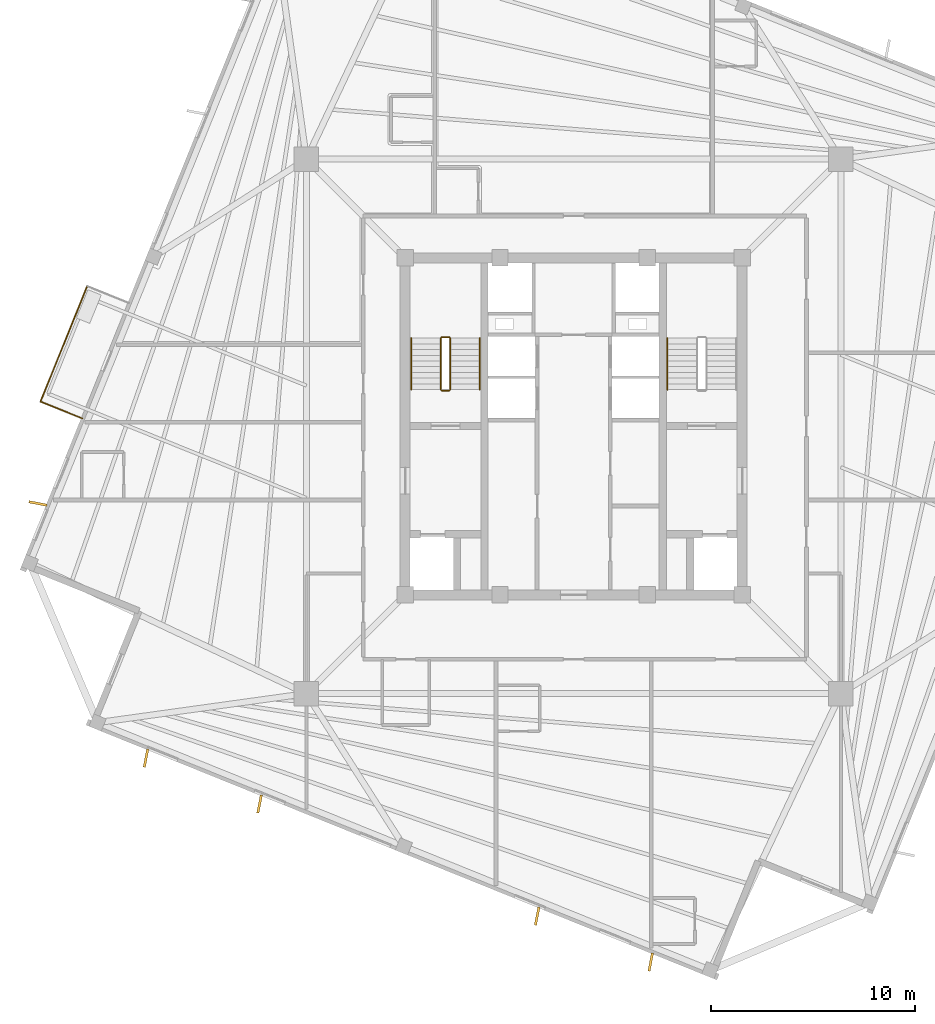
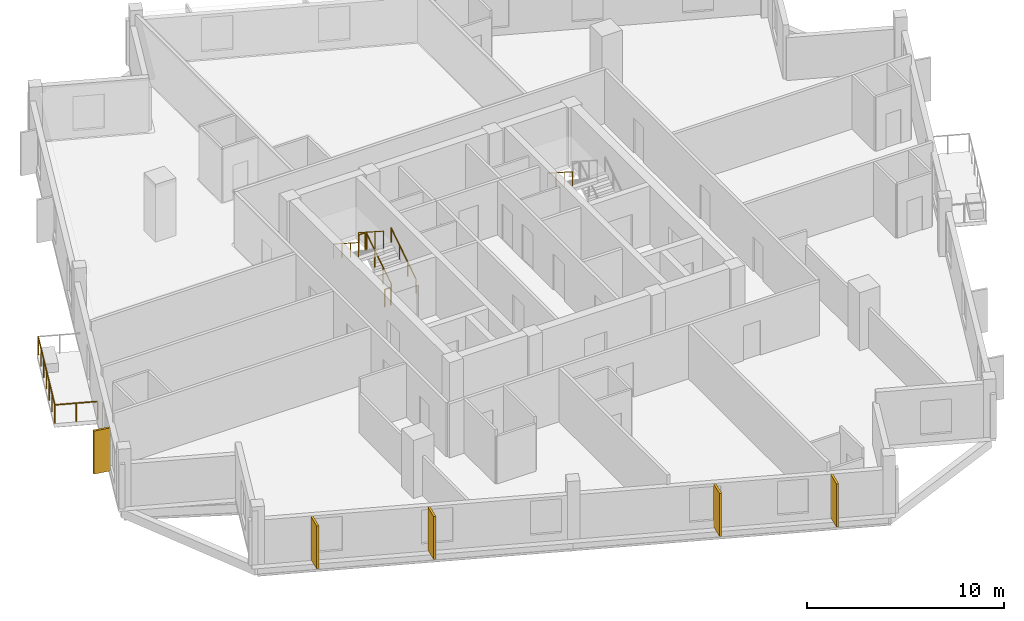
# One storey, part 6 of 8: 9 railings, 5 coverings.
"""IFC4 building model written with IfcOpenShell, lengths in metres."""

from ifc_helpers import new_model, si_unit, direction, frame, origin, origin_2d, place, context, subcontext, project, spatial, rectangle, circle, extrude, source, transform, mapped, material, layer, layer_set, type_object, element, save


model = new_model("IFC4")

# Units and contexts
model_context = context("Model", 3, precision=1e-05, world=origin(), true_north=direction((0.0, 1.0)))
body_context = subcontext(model_context, "Body", "Model", "MODEL_VIEW")
ifc_project = project(units=[si_unit("LENGTHUNIT", "METRE"), si_unit("AREAUNIT", "SQUARE_METRE"), si_unit("VOLUMEUNIT", "CUBIC_METRE"), si_unit("PLANEANGLEUNIT", "RADIAN"), si_unit("MASSUNIT", "GRAM", prefix="KILO"), si_unit("THERMODYNAMICTEMPERATUREUNIT", "KELVIN")], contexts=[model_context])

# Site, building, storey
site_placement = place(None, origin())
site = spatial("IfcSite", under=ifc_project, at=site_placement, CompositionType="ELEMENT")
building_placement = place(site_placement, origin())
building = spatial("IfcBuilding", under=site, at=building_placement, Name="Kosmvard Interchange Tower", CompositionType="ELEMENT")
storey_placement = place(building_placement, frame((0.0, 0.0, 268.800048828125)))
storey = spatial("IfcBuildingStorey", under=building, at=storey_placement, Name="L65", CompositionType="ELEMENT", Elevation=268.800048828125)

# Railing
ifc_material_1 = material(Name="Steel S355", Category="steel")
railing_type_1 = type_object("IfcRailingType", Name="Observation & Balcony Glass-Infill Balustrade 1150", PredefinedType="BALUSTRADE", material=ifc_material_1)
shared_shape_1 = source(origin(), body_context, "Body", "SweptSolid", [
    extrude(circle(Radius=0.02392578125, at=origin_2d()), frame((0.0, 0.0, 1.1259765625), z_axis=(0.927208487558, -0.374545618852, 0.0), x_axis=(0.374545618852, 0.927208487558, 0.0)), (0.0, 0.0, 1.0), 2.199951171875),
    extrude(circle(Radius=0.02099609375, at=origin_2d()), origin(), (0.0, 0.0, 1.0), 1.101806640625),
    extrude(circle(Radius=0.02099609375, at=origin_2d()), frame((1.02001953125, -0.412109375, 0.0)), (0.0, 0.0, 1.0), 1.101806640625),
    extrude(circle(Radius=0.02099609375, at=origin_2d()), frame((2.039794921875, -0.823974609375, 0.0)), (0.0, 0.0, 1.0), 1.101806640625),
])
railing_1_placement = place(storey_placement, frame((-26.095458984375, 1.2138671875, 0.0)))
element("IfcRailing", 1, at=railing_1_placement, inside=storey, type_object=railing_type_1, Name="L65 Outdoor Terrace Guard BAL-L65-NE-C", PredefinedType="BALUSTRADE", context=body_context, shape_type="MappedRepresentation", body=[
    mapped(shared_shape_1, transform((0.0, 0.0, 0.0), scale=1.0)),
])

# Coverings
ifc_material_2 = material(Name="Architectural anodised aluminium", Category="aluminium")
ifc_layer = layer(ifc_material_2, 0.1201171875, Name="Architectural anodised aluminium")
ifc_layer_set = layer_set([ifc_layer], Name="Architectural anodised aluminium")
covering_type = type_object("IfcCoveringType", Name="Rotating Vertical Sun-Breaker Fin 900x120 Aluminium", PredefinedType="CLADDING", material=ifc_layer_set)
shared_shape_2 = source(origin(), body_context, "Body", "SweptSolid", [
    extrude(rectangle(XDim=0.89990234375, YDim=0.1201171875, at=origin_2d()), origin(), (0.0, 0.0, 1.0), 2.669921875),
])
for number, where, z_axis, x_axis, name in (
    (2, (-26.223876953125, -3.775390625, 0.0400390625), (0.0, 0.0, 1.0), (-0.981760154029, 0.190123643878, 0.0), "L65 Rotating Vertical Sun-Breaker Fin 10"),
    (3, (-20.932373046875, -16.2412109375, 0.0400390625), (0.0, 0.0, 1.0), (-0.190123643878, -0.981760154029, 0.0), "L65 Rotating Vertical Sun-Breaker Fin 11"),
    (4, (-15.373046875, -18.4873046875, 0.0400390625), (0.0, 0.0, 1.0), (-0.190123643878, -0.981760154029, 0.0), "L65 Rotating Vertical Sun-Breaker Fin 12"),
    (5, (-1.783935546875, -23.977783203125, 0.0400390625), (0.0, 0.0, 1.0), (-0.190123643878, -0.981760154029, 0.0), "L65 Rotating Vertical Sun-Breaker Fin 13"),
    (6, (3.775390625, -26.223876953125, 0.0400390625), (0.0, 0.0, 1.0), (-0.190123643878, -0.981760154029, 0.0), "L65 Rotating Vertical Sun-Breaker Fin 14"),
):
    element("IfcCovering", number, at=place(storey_placement, frame(where, z_axis=z_axis, x_axis=x_axis)), inside=storey, type_object=covering_type, Name=name, PredefinedType="CLADDING", context=body_context, shape_type="MappedRepresentation", body=[
        mapped(shared_shape_2, transform((0.0, 0.0, 0.0), scale=1.0)),
    ])

# Railings
shared_shape_3 = source(origin(), body_context, "Body", "SweptSolid", [
    extrude(circle(Radius=0.02392578125, at=origin_2d()), frame((0.0, 0.0, 1.1259765625), z_axis=(-0.374617894384, -0.927179288599, 0.0), x_axis=(0.927179288599, -0.374617894384, 0.0)), (0.0, 0.0, 1.0), 6.099853515625),
    extrude(circle(Radius=0.02099609375, at=origin_2d()), origin(), (0.0, 0.0, 1.0), 1.101806640625),
    extrude(circle(Radius=0.02099609375, at=origin_2d()), frame((-0.380859375, -0.942626953125, 0.0)), (0.0, 0.0, 1.0), 1.101806640625),
    extrude(circle(Radius=0.02099609375, at=origin_2d()), frame((-0.76171875, -1.88525390625, 0.0)), (0.0, 0.0, 1.0), 1.101806640625),
    extrude(circle(Radius=0.02099609375, at=origin_2d()), frame((-1.142578125, -2.827880859375, 0.0)), (0.0, 0.0, 1.0), 1.101806640625),
    extrude(circle(Radius=0.02099609375, at=origin_2d()), frame((-1.5234375, -3.7705078125, 0.0)), (0.0, 0.0, 1.0), 1.101806640625),
    extrude(circle(Radius=0.02099609375, at=origin_2d()), frame((-1.904296875, -4.713134765625, 0.0)), (0.0, 0.0, 1.0), 1.101806640625),
    extrude(circle(Radius=0.02099609375, at=origin_2d()), frame((-2.28515625, -5.65576171875, 0.0)), (0.0, 0.0, 1.0), 1.101806640625),
])
railing_2_placement = place(storey_placement, frame((-23.810302734375, 6.86962890625, 0.0)))
element("IfcRailing", 7, at=railing_2_placement, inside=storey, type_object=railing_type_1, Name="L65 Outdoor Terrace Guard BAL-L65-NE-B", PredefinedType="BALUSTRADE", context=body_context, shape_type="MappedRepresentation", body=[
    mapped(shared_shape_3, transform((0.0, 0.0, 0.0), scale=1.0)),
])
railing_type_2 = type_object("IfcRailingType", Name="Stair & Terrace Safety Guardrail 1100 Steel", PredefinedType="GUARDRAIL", material=ifc_material_1)
shared_shape_4 = source(origin(), body_context, "Body", "SweptSolid", [
    extrude(circle(Radius=0.02392578125, at=origin_2d()), frame((0.0, 0.0, 1.076171875), z_axis=(-1.0, 0.0, 0.0), x_axis=(0.0, -1.0, 0.0)), (0.0, 0.0, 1.0), 0.35986328125),
    extrude(circle(Radius=0.02099609375, at=origin_2d()), origin(), (0.0, 0.0, 1.0), 1.052001953125),
    extrude(circle(Radius=0.02099609375, at=origin_2d()), frame((-0.35986328125, 0.0, 0.0)), (0.0, 0.0, 1.0), 1.052001953125),
])
for number, where, name in (
    (8, (-6.090087890625, 4.3701171875, 1.800048828125), "L65 ST-1 stair guard 2"),
    (9, (-6.090087890625, 1.75, 0.0), "L65 ST-1 stair guard 4"),
):
    element("IfcRailing", number, at=place(storey_placement, frame(where)), inside=storey, type_object=railing_type_2, Name=name, PredefinedType="GUARDRAIL", context=body_context, shape_type="MappedRepresentation", body=[
        mapped(shared_shape_4, transform((0.0, 0.0, 0.0), scale=1.0)),
    ])
shared_shape_5 = source(origin(), body_context, "Body", "SweptSolid", [
    extrude(circle(Radius=0.02392578125, at=origin_2d()), frame((0.0, 0.0, 1.076171875), z_axis=(0.0, 0.841162588446, 0.540782303519), x_axis=(-1.0, 0.0, 0.0)), (0.0, 0.0, 1.0), 2.995849609375),
    extrude(circle(Radius=0.02099609375, at=origin_2d()), origin(), (0.0, 0.0, 1.0), 1.052001953125),
    extrude(circle(Radius=0.02099609375, at=origin_2d()), frame((0.0, 0.840087890625, 0.5400390625)), (0.0, 0.0, 1.0), 1.052001953125),
    extrude(circle(Radius=0.02099609375, at=origin_2d()), frame((0.0, 1.679931640625, 1.080078125)), (0.0, 0.0, 1.0), 1.052001953125),
    extrude(circle(Radius=0.02099609375, at=origin_2d()), frame((0.0, 2.52001953125, 1.6201171875)), (0.0, 0.0, 1.0), 1.052001953125),
])
railing_3_placement = place(storey_placement, frame((-6.0400390625, 1.800048828125, 0.179931640625)))
element("IfcRailing", 10, at=railing_3_placement, inside=storey, type_object=railing_type_2, Name="L65 ST-1 stair guard 1", PredefinedType="GUARDRAIL", context=body_context, shape_type="MappedRepresentation", body=[
    mapped(shared_shape_5, transform((0.0, 0.0, 0.0), scale=1.0)),
])
railing_type_3 = type_object("IfcRailingType", Name="Wall-Mounted Stair Handrail 900 Steel", PredefinedType="HANDRAIL", material=ifc_material_1)
shared_shape_6 = source(origin(), body_context, "Body", "SweptSolid", [
    extrude(circle(Radius=0.02392578125, at=origin_2d()), frame((0.0, 0.0, 0.8759765625), z_axis=(0.0, 0.841162588446, 0.540782303519), x_axis=(-1.0, 0.0, 0.0)), (0.0, 0.0, 1.0), 2.995849609375),
    extrude(circle(Radius=0.02099609375, at=origin_2d()), origin(), (0.0, 0.0, 1.0), 0.851806640625),
    extrude(circle(Radius=0.02099609375, at=origin_2d()), frame((0.0, 0.840087890625, 0.5400390625)), (0.0, 0.0, 1.0), 0.851806640625),
    extrude(circle(Radius=0.02099609375, at=origin_2d()), frame((0.0, 1.679931640625, 1.080078125)), (0.0, 0.0, 1.0), 0.851806640625),
    extrude(circle(Radius=0.02099609375, at=origin_2d()), frame((0.0, 2.52001953125, 1.6201171875)), (0.0, 0.0, 1.0), 0.851806640625),
])
railing_4_placement = place(storey_placement, frame((-4.590087890625, 1.800048828125, 0.179931640625)))
element("IfcRailing", 11, at=railing_4_placement, inside=storey, type_object=railing_type_3, Name="L65 ST-1 stair handrail 1", PredefinedType="HANDRAIL", context=body_context, shape_type="MappedRepresentation", body=[
    mapped(shared_shape_6, transform((0.0, 0.0, 0.0), scale=1.0)),
])
shared_shape_7 = source(origin(), body_context, "Body", "SweptSolid", [
    extrude(circle(Radius=0.02392578125, at=origin_2d()), frame((0.0, 0.0, 1.076171875), z_axis=(0.0, -0.841199657755, 0.540724639528), x_axis=(1.0, 0.0, 0.0)), (0.0, 0.0, 1.0), 2.995849609375),
    extrude(circle(Radius=0.02099609375, at=origin_2d()), origin(), (0.0, 0.0, 1.0), 1.052001953125),
    extrude(circle(Radius=0.02099609375, at=origin_2d()), frame((0.0, -0.840087890625, 0.5400390625)), (0.0, 0.0, 1.0), 1.052001953125),
    extrude(circle(Radius=0.02099609375, at=origin_2d()), frame((0.0, -1.679931640625, 1.079833984375)), (0.0, 0.0, 1.0), 1.052001953125),
    extrude(circle(Radius=0.02099609375, at=origin_2d()), frame((0.0, -2.52001953125, 1.619873046875)), (0.0, 0.0, 1.0), 1.052001953125),
])
railing_5_placement = place(storey_placement, frame((-6.5, 4.320068359375, 1.97998046875)))
element("IfcRailing", 12, at=railing_5_placement, inside=storey, type_object=railing_type_2, Name="L65 ST-1 stair guard 3", PredefinedType="GUARDRAIL", context=body_context, shape_type="MappedRepresentation", body=[
    mapped(shared_shape_7, transform((0.0, 0.0, 0.0), scale=1.0)),
])
shared_shape_8 = source(origin(), body_context, "Body", "SweptSolid", [
    extrude(circle(Radius=0.02392578125, at=origin_2d()), frame((0.0, 0.0, 0.8759765625), z_axis=(0.0, -0.841199657755, 0.540724639528), x_axis=(1.0, 0.0, 0.0)), (0.0, 0.0, 1.0), 2.995849609375),
    extrude(circle(Radius=0.02099609375, at=origin_2d()), origin(), (0.0, 0.0, 1.0), 0.851806640625),
    extrude(circle(Radius=0.02099609375, at=origin_2d()), frame((0.0, -0.840087890625, 0.5400390625)), (0.0, 0.0, 1.0), 0.851806640625),
    extrude(circle(Radius=0.02099609375, at=origin_2d()), frame((0.0, -1.679931640625, 1.079833984375)), (0.0, 0.0, 1.0), 0.851806640625),
    extrude(circle(Radius=0.02099609375, at=origin_2d()), frame((0.0, -2.52001953125, 1.619873046875)), (0.0, 0.0, 1.0), 0.851806640625),
])
for number, where, name in (
    (13, (-7.949951171875, 4.320068359375, 1.97998046875), "L65 ST-1 stair handrail 2"),
    (14, (4.590087890625, 4.320068359375, 1.97998046875), "L65 ST-2 stair handrail 2"),
):
    element("IfcRailing", number, at=place(storey_placement, frame(where)), inside=storey, type_object=railing_type_3, Name=name, PredefinedType="HANDRAIL", context=body_context, shape_type="MappedRepresentation", body=[
        mapped(shared_shape_8, transform((0.0, 0.0, 0.0), scale=1.0)),
    ])

save(model, "model.ifc")
